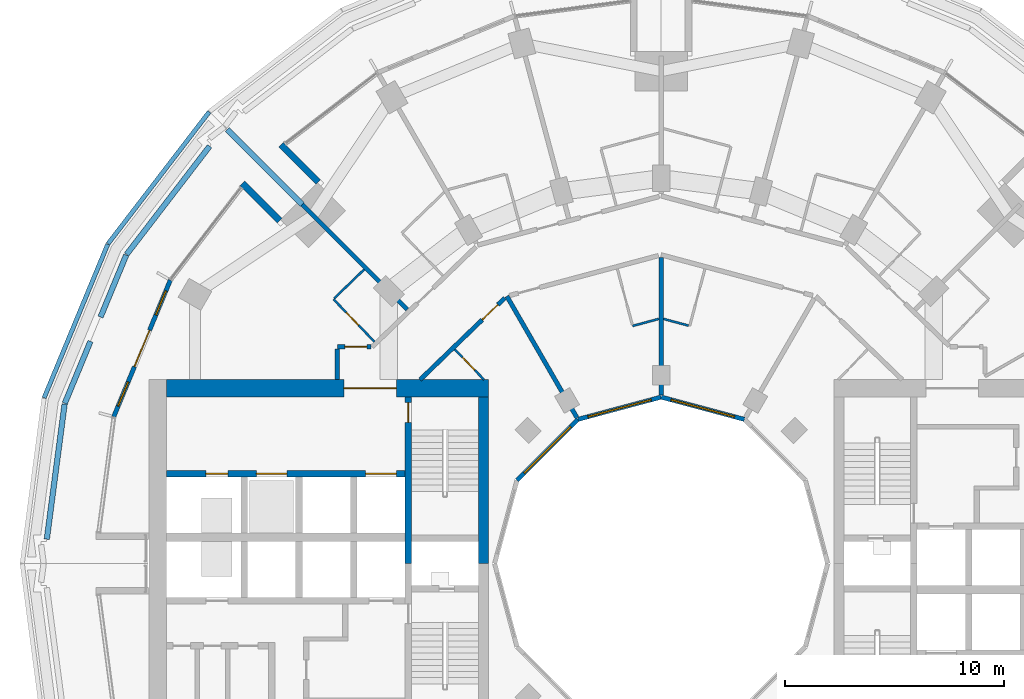
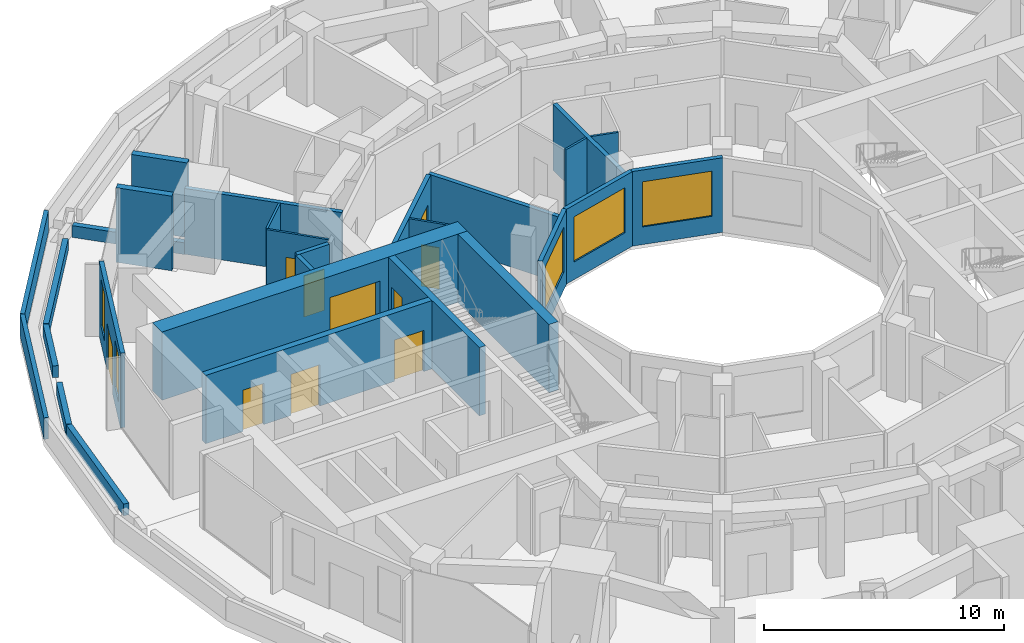
# One storey, part 14 of 19: 28 walls, 10 doors, 5 windows, 15 openings.
"""IFC4 building model written with IfcOpenShell, lengths in metres."""

from ifc_helpers import new_model, si_unit, direction, frame, frame_2d, origin, place, context, subcontext, project, spatial, rectangle, extrude, material, layer, layer_set, type_object, element, fill, save


model = new_model("IFC4")

# Units and contexts
model_context = context("Model", 3, precision=1e-05, world=origin(), true_north=direction((0.0, 1.0)))
body_context = subcontext(model_context, "Body", "Model", "MODEL_VIEW")
ifc_project = project(units=[si_unit("LENGTHUNIT", "METRE"), si_unit("AREAUNIT", "SQUARE_METRE"), si_unit("VOLUMEUNIT", "CUBIC_METRE"), si_unit("PLANEANGLEUNIT", "RADIAN"), si_unit("MASSUNIT", "GRAM", prefix="KILO")], contexts=[model_context])

# Site, building, storey
site_placement = place(None, origin())
site = spatial("IfcSite", under=ifc_project, at=site_placement, CompositionType="ELEMENT")
building_placement = place(site_placement, origin())
building = spatial("IfcBuilding", under=site, at=building_placement, Name="Torre Brocal", CompositionType="ELEMENT")
storey_placement = place(building_placement, frame((0.0, 0.0, 28.800048828125)))
storey = spatial("IfcBuildingStorey", under=building, at=storey_placement, Name="L05", CompositionType="ELEMENT", Elevation=28.800048828125)

# Wall, opening, door
ifc_material_1 = material(Name="Concrete C80", Category="concrete")
ifc_layer_1 = layer(ifc_material_1, 0.300048828125)
ifc_layer_set_1 = layer_set([ifc_layer_1], Name="Concrete C80")
wall_type_1 = type_object("IfcWallType", Name="CORE WALL 300 C80", PredefinedType="SHEAR", material=ifc_layer_set_1)
wall_1_placement = place(storey_placement, frame((68.449951171875, 82.60009765625, 0.0), z_axis=(0.0, 0.0, 1.0), x_axis=(0.0, -1.0, 0.0)))
wall_1 = element("IfcWall", 1, at=wall_1_placement, inside=storey, type_object=wall_type_1, Name="Wall CW300-80", PredefinedType="SHEAR", context=body_context, shape_type="SweptSolid", body=[
    extrude(rectangle(XDim=7.60009765625, YDim=0.300048828125, at=frame_2d((3.800048828125, 0.0))), origin(), (0.0, 0.0, 1.0), 3.47998046875),
])
opening_1_placement = place(wall_1_placement, frame((0.25, 0.0, 0.0)))
opening_1 = element("IfcOpeningElement", 2, at=opening_1_placement, cuts=wall_1, Name="Opening W-D03", PredefinedType="OPENING", context=body_context, shape_type="SweptSolid", body=[
    extrude(rectangle(XDim=0.89990234375, YDim=2.10009765625, at=frame_2d((0.449951171875, 1.050048828125))), frame((0.0, 0.159912109375, 0.0), z_axis=(0.0, -1.0, 0.0), x_axis=(1.0, 0.0, 0.0)), (0.0, 0.0, 1.0), 0.320068359375),
])
ifc_material_2 = material(Name="Steel A653", Category="steel")
door_type_1 = type_object("IfcDoorType", Name="STAIR DOOR FD120 900X2100", OperationType="SINGLE_SWING_RIGHT", PredefinedType="DOOR", material=ifc_material_2)
door_1_placement = place(opening_1_placement, origin())
door_1 = element("IfcDoor", 3, at=door_1_placement, inside=storey, type_object=door_type_1, Name="Door W-D03", OperationType="SINGLE_SWING_LEFT", OverallHeight=2.10009765625, OverallWidth=0.89990234375, PredefinedType="DOOR", context=body_context, shape_type="SweptSolid", body=[
    extrude(rectangle(XDim=0.89990234375, YDim=2.10009765625, at=frame_2d((0.449951171875, 1.050048828125))), frame((0.0, 0.02490234375, 0.0), z_axis=(0.0, -1.0, 0.0), x_axis=(1.0, 0.0, 0.0)), (0.0, 0.0, 1.0), 0.050048828125),
])
fill(opening_1, door_1)

# Wall, openings, doors
wall_2_placement = place(storey_placement, frame((68.300048828125, 79.10009765625, 0.0), z_axis=(0.0, 0.0, 1.0), x_axis=(-1.0, 0.0, 0.0)))
wall_2 = element("IfcWall", 4, at=wall_2_placement, inside=storey, type_object=wall_type_1, Name="Wall CW300-80", PredefinedType="SHEAR", context=body_context, shape_type="SweptSolid", body=[
    extrude(rectangle(XDim=10.900146484375, YDim=0.300048828125, at=frame_2d((5.4501953125, 0.0))), origin(), (0.0, 0.0, 1.0), 3.47998046875),
])
opening_2_placement = place(wall_2_placement, frame((0.39990234375, 0.0, 0.0)))
opening_2 = element("IfcOpeningElement", 5, at=opening_2_placement, cuts=wall_2, Name="Opening LD14", PredefinedType="OPENING", context=body_context, shape_type="SweptSolid", body=[
    extrude(rectangle(XDim=1.39990234375, YDim=2.10009765625, at=frame_2d((0.699951171875, 1.050048828125))), frame((0.0, 0.159912109375, 0.0), z_axis=(0.0, -1.0, 0.0), x_axis=(1.0, 0.0, 0.0)), (0.0, 0.0, 1.0), 0.320068359375),
])
opening_3_placement = place(wall_2_placement, frame((5.39990234375, 0.0, 0.0)))
opening_3 = element("IfcOpeningElement", 6, at=opening_3_placement, cuts=wall_2, Name="Opening LD14", PredefinedType="OPENING", context=body_context, shape_type="SweptSolid", body=[
    extrude(rectangle(XDim=1.39990234375, YDim=2.10009765625, at=frame_2d((0.699951171875, 1.050048828125))), frame((0.0, 0.159912109375, 0.0), z_axis=(0.0, -1.0, 0.0), x_axis=(1.0, 0.0, 0.0)), (0.0, 0.0, 1.0), 0.320068359375),
])
opening_4_placement = place(wall_2_placement, frame((8.10009765625, 0.0, 0.0)))
opening_4 = element("IfcOpeningElement", 7, at=opening_4_placement, cuts=wall_2, Name="Opening LD10", PredefinedType="OPENING", context=body_context, shape_type="SweptSolid", body=[
    extrude(rectangle(XDim=1.0, YDim=2.10009765625, at=frame_2d((0.5, 1.050048828125))), frame((0.0, 0.159912109375, 0.0), z_axis=(0.0, -1.0, 0.0), x_axis=(1.0, 0.0, 0.0)), (0.0, 0.0, 1.0), 0.320068359375),
])
ifc_material_3 = material(Name="Stainless steel AISI 316", Category="steel")
door_type_2 = type_object("IfcDoorType", Name="LIFT LANDING DOOR 1000X2100", OperationType="DOUBLE_DOOR_SLIDING", PredefinedType="DOOR", material=ifc_material_3)
door_2_placement = place(opening_4_placement, origin())
door_2 = element("IfcDoor", 8, at=door_2_placement, inside=storey, type_object=door_type_2, Name="Door LD10", OperationType="DOUBLE_DOOR_SLIDING", OverallHeight=2.10009765625, OverallWidth=1.0, PredefinedType="DOOR", context=body_context, shape_type="SweptSolid", body=[
    extrude(rectangle(XDim=1.0, YDim=2.10009765625, at=frame_2d((0.5, 1.050048828125))), frame((0.0, 0.02490234375, 0.0), z_axis=(0.0, -1.0, 0.0), x_axis=(1.0, 0.0, 0.0)), (0.0, 0.0, 1.0), 0.050048828125),
])
fill(opening_4, door_2)
ifc_material_4 = material(Name="Stainless steel AISI 316", Category="steel")
door_type_3 = type_object("IfcDoorType", Name="LIFT LANDING DOOR 1400X2100", OperationType="DOUBLE_DOOR_SLIDING", PredefinedType="DOOR", material=ifc_material_4)
door_3_placement = place(opening_2_placement, origin())
door_3 = element("IfcDoor", 9, at=door_3_placement, inside=storey, type_object=door_type_3, Name="Door LD14", OperationType="DOUBLE_DOOR_SLIDING", OverallHeight=2.10009765625, OverallWidth=1.39990234375, PredefinedType="DOOR", context=body_context, shape_type="SweptSolid", body=[
    extrude(rectangle(XDim=1.39990234375, YDim=2.10009765625, at=frame_2d((0.699951171875, 1.050048828125))), frame((0.0, 0.02490234375, 0.0), z_axis=(0.0, -1.0, 0.0), x_axis=(1.0, 0.0, 0.0)), (0.0, 0.0, 1.0), 0.050048828125),
])
fill(opening_2, door_3)
door_4_placement = place(opening_3_placement, origin())
door_4 = element("IfcDoor", 10, at=door_4_placement, inside=storey, type_object=door_type_3, Name="Door LD14", OperationType="DOUBLE_DOOR_SLIDING", OverallHeight=2.10009765625, OverallWidth=1.39990234375, PredefinedType="DOOR", context=body_context, shape_type="SweptSolid", body=[
    extrude(rectangle(XDim=1.39990234375, YDim=2.10009765625, at=frame_2d((0.699951171875, 1.050048828125))), frame((0.0, 0.02490234375, 0.0), z_axis=(0.0, -1.0, 0.0), x_axis=(1.0, 0.0, 0.0)), (0.0, 0.0, 1.0), 0.050048828125),
])
fill(opening_3, door_4)

# Wall
ifc_material_5 = material(Name="Concrete C80", Category="concrete")
ifc_layer_2 = layer(ifc_material_5, 0.449951171875)
ifc_layer_set_2 = layer_set([ifc_layer_2], Name="Concrete C80")
wall_type_2 = type_object("IfcWallType", Name="CORE WALL 450 C80", PredefinedType="SHEAR", material=ifc_layer_set_2)
wall_3_placement = place(storey_placement, frame((71.875, 82.60009765625, 0.0), z_axis=(0.0, 0.0, 1.0), x_axis=(0.0, -1.0, 0.0)))
element("IfcWall", 11, at=wall_3_placement, inside=storey, type_object=wall_type_2, Name="Wall CW450-80", PredefinedType="SHEAR", context=body_context, shape_type="SweptSolid", body=[
    extrude(rectangle(XDim=7.60009765625, YDim=0.449951171875, at=frame_2d((3.800048828125, 0.0))), origin(), (0.0, 0.0, 1.0), 3.47998046875),
])

# Wall, opening, door
ifc_material_6 = material(Name="Concrete C80", Category="concrete")
ifc_layer_3 = layer(ifc_material_6, 0.800048828125)
ifc_layer_set_3 = layer_set([ifc_layer_3], Name="Concrete C80")
wall_type_3 = type_object("IfcWallType", Name="CORE WALL 800 C80", PredefinedType="SHEAR", material=ifc_layer_set_3)
wall_4_placement = place(storey_placement, frame((72.10009765625, 83.0, 0.0), z_axis=(0.0, 0.0, 1.0), x_axis=(-1.0, 0.0, 0.0)))
wall_4 = element("IfcWall", 12, at=wall_4_placement, inside=storey, type_object=wall_type_3, Name="Wall CW800-80", PredefinedType="SHEAR", context=body_context, shape_type="SweptSolid", body=[
    extrude(rectangle(XDim=14.7001953125, YDim=0.800048828125, at=frame_2d((7.35009765625, 0.0))), origin(), (0.0, 0.0, 1.0), 3.47998046875),
])
opening_5_placement = place(wall_4_placement, frame((4.199951171875, 0.0, 0.0)))
opening_5 = element("IfcOpeningElement", 13, at=opening_5_placement, cuts=wall_4, Name="Opening W-D30", PredefinedType="OPENING", context=body_context, shape_type="SweptSolid", body=[
    extrude(rectangle(XDim=2.39990234375, YDim=2.39990234375, at=frame_2d((1.199951171875, 1.199951171875))), frame((0.0, 0.409912109375, 0.0), z_axis=(0.0, -1.0, 0.0), x_axis=(1.0, 0.0, 0.0)), (0.0, 0.0, 1.0), 0.820068359375),
])
ifc_material_7 = material(Name="Steel A653", Category="steel")
door_type_4 = type_object("IfcDoorType", Name="DOUBLE FIRE DOOR FD90 2400X2400", OperationType="DOUBLE_DOOR_SINGLE_SWING", PredefinedType="DOOR", material=ifc_material_7)
door_5_placement = place(opening_5_placement, origin())
door_5 = element("IfcDoor", 14, at=door_5_placement, inside=storey, type_object=door_type_4, Name="Door W-D30", OperationType="DOUBLE_DOOR_SINGLE_SWING", OverallHeight=2.39990234375, OverallWidth=2.39990234375, PredefinedType="DOOR", context=body_context, shape_type="SweptSolid", body=[
    extrude(rectangle(XDim=2.39990234375, YDim=2.39990234375, at=frame_2d((1.199951171875, 1.199951171875))), frame((0.0, 0.02490234375, 0.0), z_axis=(0.0, -1.0, 0.0), x_axis=(1.0, 0.0, 0.0)), (0.0, 0.0, 1.0), 0.050048828125),
])
fill(opening_5, door_5)

# Wall, openings, door, windows
ifc_material_8 = material(Name="Concrete C40", Category="concrete")
ifc_layer_4 = layer(ifc_material_8, 0.199951171875)
ifc_layer_set_4 = layer_set([ifc_layer_4], Name="Concrete C40")
wall_type_4 = type_object("IfcWallType", Name="EXTERNAL WALL 200", PredefinedType="NOTDEFINED", material=ifc_layer_set_4)
wall_5_placement = place(storey_placement, frame((57.57080078125, 87.949462890625, 0.0), z_axis=(0.0, 0.0, 1.0), x_axis=(-0.382694096902, -0.923875115043, 0.0)))
wall_5 = element("IfcWall", 15, at=wall_5_placement, inside=storey, type_object=wall_type_4, Name="EXTERNAL WALL", PredefinedType="NOTDEFINED", context=body_context, shape_type="SweptSolid", body=[
    extrude(rectangle(XDim=6.760986328125, YDim=0.199951171875, at=frame_2d((3.38037109375, 0.0))), origin(), (0.0, 0.0, 1.0), 3.800048828125),
])
opening_6_placement = place(wall_5_placement, frame((0.52685546875, 0.0, 0.89990234375)))
opening_6 = element("IfcOpeningElement", 16, at=opening_6_placement, cuts=wall_5, Name="Opening W3", PredefinedType="OPENING", context=body_context, shape_type="SweptSolid", body=[
    extrude(rectangle(XDim=1.199951171875, YDim=2.39990234375, at=frame_2d((0.60009765625, 1.199951171875))), frame((0.0, 0.10986328125, 0.0), z_axis=(0.0, -1.0, 0.0), x_axis=(1.0, 0.0, 0.0)), (0.0, 0.0, 1.0), 0.219970703125),
])
opening_7_placement = place(wall_5_placement, frame((2.48046875, 0.0, 0.0)))
opening_7 = element("IfcOpeningElement", 17, at=opening_7_placement, cuts=wall_5, Name="Opening L05-E04", PredefinedType="OPENING", context=body_context, shape_type="SweptSolid", body=[
    extrude(rectangle(XDim=1.800048828125, YDim=2.39990234375, at=frame_2d((0.89990234375, 1.199951171875))), frame((0.0, 0.10986328125, 0.0), z_axis=(0.0, -1.0, 0.0), x_axis=(1.0, 0.0, 0.0)), (0.0, 0.0, 1.0), 0.219970703125),
])
opening_8_placement = place(wall_5_placement, frame((5.0341796875, 0.0, 0.89990234375)))
opening_8 = element("IfcOpeningElement", 18, at=opening_8_placement, cuts=wall_5, Name="Opening W3", PredefinedType="OPENING", context=body_context, shape_type="SweptSolid", body=[
    extrude(rectangle(XDim=1.199951171875, YDim=2.39990234375, at=frame_2d((0.60009765625, 1.199951171875))), frame((0.0, 0.10986328125, 0.0), z_axis=(0.0, -1.0, 0.0), x_axis=(1.0, 0.0, 0.0)), (0.0, 0.0, 1.0), 0.219970703125),
])
ifc_material_9 = material(Name="Aluminium and glass", Category="aluminium")
door_type_5 = type_object("IfcDoorType", Name="TERRACE DOUBLE DOOR 1800X2400", OperationType="DOUBLE_DOOR_SINGLE_SWING", PredefinedType="DOOR", material=ifc_material_9)
door_6_placement = place(opening_7_placement, frame((1.800048828125, 0.0, 0.0), z_axis=(0.0, 0.0, 1.0), x_axis=(-1.0, 0.0, 0.0)))
door_6 = element("IfcDoor", 19, at=door_6_placement, inside=storey, type_object=door_type_5, Name="DOOR L05-E04", OperationType="DOUBLE_DOOR_SINGLE_SWING", OverallHeight=2.39990234375, OverallWidth=1.800048828125, PredefinedType="DOOR", context=body_context, shape_type="SweptSolid", body=[
    extrude(rectangle(XDim=1.800048828125, YDim=2.39990234375, at=frame_2d((0.89990234375, 1.199951171875))), frame((0.0, 0.02490234375, 0.0), z_axis=(0.0, -1.0, 0.0), x_axis=(1.0, 0.0, 0.0)), (0.0, 0.0, 1.0), 0.050048828125),
])
fill(opening_7, door_6)
ifc_material_10 = material(Name="Aluminium and glass", Category="aluminium")
window_type_1 = type_object("IfcWindowType", Name="TERRACE WINDOW 1200X2400", PartitioningType="SINGLE_PANEL", PredefinedType="WINDOW", material=ifc_material_10)
window_1_placement = place(opening_6_placement, origin())
window_1 = element("IfcWindow", 20, at=window_1_placement, inside=storey, type_object=window_type_1, Name="TERRACE WINDOW 1200X2400", OverallHeight=2.39990234375, OverallWidth=1.199951171875, PartitioningType="SINGLE_PANEL", PredefinedType="WINDOW", context=body_context, shape_type="SweptSolid", body=[
    extrude(rectangle(XDim=1.199951171875, YDim=2.39990234375, at=frame_2d((0.60009765625, 1.199951171875))), frame((0.0, 0.030029296875, 0.0), z_axis=(0.0, -1.0, 0.0), x_axis=(1.0, 0.0, 0.0)), (0.0, 0.0, 1.0), 0.06005859375),
])
fill(opening_6, window_1)
window_2_placement = place(opening_8_placement, origin())
window_2 = element("IfcWindow", 21, at=window_2_placement, inside=storey, type_object=window_type_1, Name="TERRACE WINDOW 1200X2400", OverallHeight=2.39990234375, OverallWidth=1.199951171875, PartitioningType="SINGLE_PANEL", PredefinedType="WINDOW", context=body_context, shape_type="SweptSolid", body=[
    extrude(rectangle(XDim=1.199951171875, YDim=2.39990234375, at=frame_2d((0.60009765625, 1.199951171875))), frame((0.0, 0.030029296875, 0.0), z_axis=(0.0, -1.0, 0.0), x_axis=(1.0, 0.0, 0.0)), (0.0, 0.0, 1.0), 0.06005859375),
])
fill(opening_8, window_2)

# Walls
ifc_material_11 = material(Name="Concrete C80", Category="concrete")
ifc_layer_5 = layer(ifc_material_11, 0.300048828125)
ifc_layer_set_5 = layer_set([ifc_layer_5], Name="Concrete C80")
wall_type_5 = type_object("IfcWallType", Name="NOTCH RETURN WALL 300 C80", PredefinedType="NOTDEFINED", material=ifc_layer_set_5)
for number, where, z_axis, x_axis, name in (
    (22, (64.337646484375, 92.43017578125, 0.0), (0.0, 0.0, 1.0), (-0.707106781187, 0.707106781187, 0.0), "NOTCH RETURN WALL"),
    (23, (62.56982421875, 90.662353515625, 0.0), (0.0, 0.0, 1.0), (-0.707106781187, 0.707106781187, 0.0), "NOTCH RETURN WALL"),
):
    element("IfcWall", number, at=place(storey_placement, frame(where, z_axis=z_axis, x_axis=x_axis)), inside=storey, type_object=wall_type_5, Name=name, PredefinedType="NOTDEFINED", context=body_context, shape_type="SweptSolid", body=[
        extrude(rectangle(XDim=2.415771484375, YDim=0.300048828125, at=frame_2d((1.2080078125, 0.0))), origin(), (0.0, 0.0, 1.0), 3.800048828125),
    ])
ifc_material_12 = material(Name="Concrete C40", Category="concrete")
ifc_layer_6 = layer(ifc_material_12, 0.199951171875)
ifc_layer_set_6 = layer_set([ifc_layer_6], Name="Concrete C40")
wall_type_6 = type_object("IfcWallType", Name="PARAPET WALL 200 THICK 1100 HIGH 6", PredefinedType="PARAPET", material=ifc_layer_set_6)
wall_6_placement = place(storey_placement, frame((51.802490234375, 82.569091796875, 0.0), z_axis=(0.0, 0.0, 1.0), x_axis=(0.382690553965, 0.923876582616, 0.0)))
element("IfcWall", 24, at=wall_6_placement, inside=storey, type_object=wall_type_6, Name="PARAPET WALL 14", PredefinedType="PARAPET", context=body_context, shape_type="SweptSolid", body=[
    extrude(rectangle(XDim=7.595458984375, YDim=0.199951171875, at=frame_2d((3.7978515625, 0.0))), origin(), (0.0, 0.0, 1.0), 1.099853515625),
])
wall_7_placement = place(storey_placement, frame((54.722412109375, 89.609130859375, 0.0), z_axis=(0.0, 0.0, 1.0), x_axis=(0.608742572971, 0.793367808682, 0.0)))
element("IfcWall", 25, at=wall_7_placement, inside=storey, type_object=wall_type_6, Name="PARAPET WALL 15", PredefinedType="PARAPET", context=body_context, shape_type="SweptSolid", body=[
    extrude(rectangle(XDim=7.595703125, YDim=0.199951171875, at=frame_2d((3.7978515625, 0.0))), origin(), (0.0, 0.0, 1.0), 1.099853515625),
])
ifc_material_13 = material(Name="Gypsum board", Category="Gypsum")
ifc_layer_7 = layer(ifc_material_13, 0.10009765625)
ifc_layer_set_7 = layer_set([ifc_layer_7], Name="Gypsum board")
wall_type_7 = type_object("IfcWallType", Name="PARTITION 100", PredefinedType="PARTITIONING", material=ifc_layer_set_7)
wall_8_placement = place(storey_placement, frame((65.05810546875, 87.113525390625, 0.0), z_axis=(0.0, 0.0, 1.0), x_axis=(0.719715847356, 0.694268751324, 0.0)))
element("IfcWall", 26, at=wall_8_placement, inside=storey, type_object=wall_type_7, Name="BATHROOM WALL", PredefinedType="PARTITIONING", context=body_context, shape_type="SweptSolid", body=[
    extrude(rectangle(XDim=1.899658203125, YDim=0.10009765625, at=frame_2d((0.94970703125, 0.0))), origin(), (0.0, 0.0, 1.0), 3.349853515625),
])

# Wall, opening, door
wall_9_placement = place(storey_placement, frame((65.02197265625, 87.0791015625, 0.0), z_axis=(0.0, 0.0, 1.0), x_axis=(0.694287838235, -0.719697434815, 0.0)))
wall_9 = element("IfcWall", 27, at=wall_9_placement, inside=storey, type_object=wall_type_7, Name="BATHROOM WALL", PredefinedType="PARTITIONING", context=body_context, shape_type="SweptSolid", body=[
    extrude(rectangle(XDim=2.699951171875, YDim=0.10009765625, at=frame_2d((1.35009765625, 0.0))), origin(), (0.0, 0.0, 1.0), 3.349853515625),
])
opening_9_placement = place(wall_9_placement, frame((0.849853515625, 0.0, 0.0)))
opening_9 = element("IfcOpeningElement", 28, at=opening_9_placement, cuts=wall_9, Name="Opening H01-D17", PredefinedType="OPENING", context=body_context, shape_type="SweptSolid", body=[
    extrude(rectangle(XDim=0.800048828125, YDim=2.10009765625, at=frame_2d((0.39990234375, 1.050048828125))), frame((0.0, 0.06005859375, 0.0), z_axis=(0.0, -1.0, 0.0), x_axis=(1.0, 0.0, 0.0)), (0.0, 0.0, 1.0), 0.1201171875),
])
ifc_material_14 = material(Name="Timber", Category="wood")
door_type_6 = type_object("IfcDoorType", Name="BATHROOM DOOR 800X2100", OperationType="SINGLE_SWING_LEFT", PredefinedType="DOOR", material=ifc_material_14)
door_7_placement = place(opening_9_placement, origin())
door_7 = element("IfcDoor", 29, at=door_7_placement, inside=storey, type_object=door_type_6, Name="H01-D17", OperationType="SINGLE_SWING_LEFT", OverallHeight=2.10009765625, OverallWidth=0.800048828125, PredefinedType="DOOR", context=body_context, shape_type="SweptSolid", body=[
    extrude(rectangle(XDim=0.800048828125, YDim=2.10009765625, at=frame_2d((0.39990234375, 1.050048828125))), frame((0.0, 0.02490234375, 0.0), z_axis=(0.0, -1.0, 0.0), x_axis=(1.0, 0.0, 0.0)), (0.0, 0.0, 1.0), 0.050048828125),
])
fill(opening_9, door_7)

wall_10_placement = place(storey_placement, frame((70.5673828125, 84.785888671875, 0.0), z_axis=(0.0, 0.0, 1.0), x_axis=(0.694447472534, -0.719543402368, 0.0)))
wall_10 = element("IfcWall", 30, at=wall_10_placement, inside=storey, type_object=wall_type_7, Name="BATHROOM WALL", PredefinedType="PARTITIONING", context=body_context, shape_type="SweptSolid", body=[
    extrude(rectangle(XDim=1.92626953125, YDim=0.10009765625, at=frame_2d((0.963134765625, 0.0))), origin(), (0.0, 0.0, 1.0), 3.349853515625),
])
opening_10_placement = place(wall_10_placement, frame((0.51318359375, 0.0, 0.0)))
opening_10 = element("IfcOpeningElement", 31, at=opening_10_placement, cuts=wall_10, Name="Opening H01-D25", PredefinedType="OPENING", context=body_context, shape_type="SweptSolid", body=[
    extrude(rectangle(XDim=0.800048828125, YDim=2.10009765625, at=frame_2d((0.39990234375, 1.050048828125))), frame((0.0, 0.06005859375, 0.0), z_axis=(0.0, -1.0, 0.0), x_axis=(1.0, 0.0, 0.0)), (0.0, 0.0, 1.0), 0.1201171875),
])
door_8_placement = place(opening_10_placement, frame((0.800048828125, 0.0, 0.0), z_axis=(0.0, 0.0, 1.0), x_axis=(-1.0, 0.0, 0.0)))
door_8 = element("IfcDoor", 32, at=door_8_placement, inside=storey, type_object=door_type_6, Name="H01-D25", OperationType="SINGLE_SWING_RIGHT", OverallHeight=2.10009765625, OverallWidth=0.800048828125, PredefinedType="DOOR", context=body_context, shape_type="SweptSolid", body=[
    extrude(rectangle(XDim=0.800048828125, YDim=2.10009765625, at=frame_2d((0.39990234375, 1.050048828125))), frame((0.0, 0.02490234375, 0.0), z_axis=(0.0, -1.0, 0.0), x_axis=(1.0, 0.0, 0.0)), (0.0, 0.0, 1.0), 0.050048828125),
])
fill(opening_10, door_8)

# Walls
wall_11_placement = place(storey_placement, frame((78.696044921875, 85.85595703125, 0.0), z_axis=(0.0, 0.0, 1.0), x_axis=(0.966002513606, 0.258532674351, 0.0)))
element("IfcWall", 33, at=wall_11_placement, inside=storey, type_object=wall_type_7, Name="BATHROOM WALL", PredefinedType="PARTITIONING", context=body_context, shape_type="SweptSolid", body=[
    extrude(rectangle(XDim=1.239990234375, YDim=0.10009765625, at=frame_2d((0.6201171875, 0.0))), origin(), (0.0, 0.0, 1.0), 3.349853515625),
])
wall_12_placement = place(storey_placement, frame((80.106201171875, 86.176513671875, 0.0), z_axis=(0.0, 0.0, 1.0), x_axis=(0.966002973184, -0.258530957139, 0.0)))
element("IfcWall", 34, at=wall_12_placement, inside=storey, type_object=wall_type_7, Name="BATHROOM WALL", PredefinedType="PARTITIONING", context=body_context, shape_type="SweptSolid", body=[
    extrude(rectangle(XDim=1.18994140625, YDim=0.10009765625, at=frame_2d((0.594970703125, 0.0))), origin(), (0.0, 0.0, 1.0), 3.349853515625),
])
ifc_material_15 = material(Name="Gypsum board", Category="Gypsum")
ifc_layer_8 = layer(ifc_material_15, 0.199951171875)
ifc_layer_set_8 = layer_set([ifc_layer_8], Name="Gypsum board")
wall_type_8 = type_object("IfcWallType", Name="PARTITION 200 EI60", PredefinedType="PARTITIONING", material=ifc_layer_set_8)
wall_13_placement = place(storey_placement, frame((63.5986328125, 91.408203125, 0.0), z_axis=(0.0, 0.0, 1.0), x_axis=(0.706981017422, -0.707232522587, 0.0)))
element("IfcWall", 35, at=wall_13_placement, inside=storey, type_object=wall_type_8, Name="BATHROOM WALL", PredefinedType="PARTITIONING", context=body_context, shape_type="SweptSolid", body=[
    extrude(rectangle(XDim=6.794921875, YDim=0.199951171875, at=frame_2d((3.3974609375, 0.0))), origin(), (0.0, 0.0, 1.0), 3.349853515625),
])
wall_14_placement = place(storey_placement, frame((65.199951171875, 83.40087890625, 0.0), z_axis=(0.0, 0.0, 1.0), x_axis=(0.0, 1.0, 0.0)))
element("IfcWall", 36, at=wall_14_placement, inside=storey, type_object=wall_type_8, Name="GUESTROOM CORRIDOR WALL", PredefinedType="PARTITIONING", context=body_context, shape_type="SweptSolid", body=[
    extrude(rectangle(XDim=1.399169921875, YDim=0.199951171875, at=frame_2d((0.69970703125, 0.0))), origin(), (0.0, 0.0, 1.0), 3.349853515625),
])

# Wall, opening, door
wall_15_placement = place(storey_placement, frame((65.199951171875, 84.89990234375, 0.0), z_axis=(0.0, 0.0, 1.0), x_axis=(1.0, 0.0, 0.0)))
wall_15 = element("IfcWall", 37, at=wall_15_placement, inside=storey, type_object=wall_type_8, Name="GUESTROOM CORRIDOR WALL", PredefinedType="PARTITIONING", context=body_context, shape_type="SweptSolid", body=[
    extrude(rectangle(XDim=1.5361328125, YDim=0.199951171875, at=frame_2d((0.76806640625, 0.0))), origin(), (0.0, 0.0, 1.0), 3.349853515625),
])
opening_11_placement = place(wall_15_placement, frame((0.346923828125, 0.0, 0.0)))
opening_11 = element("IfcOpeningElement", 38, at=opening_11_placement, cuts=wall_15, Name="Opening H01-D16", PredefinedType="OPENING", context=body_context, shape_type="SweptSolid", body=[
    extrude(rectangle(XDim=1.0, YDim=2.10009765625, at=frame_2d((0.5, 1.050048828125))), frame((0.0, 0.10986328125, 0.0), z_axis=(0.0, -1.0, 0.0), x_axis=(1.0, 0.0, 0.0)), (0.0, 0.0, 1.0), 0.219970703125),
])
ifc_material_16 = material(Name="Timber", Category="wood")
door_type_7 = type_object("IfcDoorType", Name="FLAT ENTRY DOOR FD30S 1000X2100", OperationType="SINGLE_SWING_RIGHT", PredefinedType="DOOR", material=ifc_material_16)
door_9_placement = place(opening_11_placement, origin())
door_9 = element("IfcDoor", 39, at=door_9_placement, inside=storey, type_object=door_type_7, Name="H01-D16", OperationType="SINGLE_SWING_LEFT", OverallHeight=2.10009765625, OverallWidth=1.0, PredefinedType="DOOR", context=body_context, shape_type="SweptSolid", body=[
    extrude(rectangle(XDim=1.0, YDim=2.10009765625, at=frame_2d((0.5, 1.050048828125))), frame((0.0, 0.02490234375, 0.0), z_axis=(0.0, -1.0, 0.0), x_axis=(1.0, 0.0, 0.0)), (0.0, 0.0, 1.0), 0.050048828125),
])
fill(opening_11, door_9)

wall_16_placement = place(storey_placement, frame((68.987060546875, 83.39990234375, 0.0), z_axis=(0.0, 0.0, 1.0), x_axis=(0.719591503389, 0.694397629784, 0.0)))
wall_16 = element("IfcWall", 40, at=wall_16_placement, inside=storey, type_object=wall_type_8, Name="GUESTROOM CORRIDOR WALL", PredefinedType="PARTITIONING", context=body_context, shape_type="SweptSolid", body=[
    extrude(rectangle(XDim=5.378173828125, YDim=0.199951171875, at=frame_2d((2.68896484375, 0.0))), origin(), (0.0, 0.0, 1.0), 3.349853515625),
])
opening_12_placement = place(wall_16_placement, frame((3.93798828125, 0.0, 0.0)))
opening_12 = element("IfcOpeningElement", 41, at=opening_12_placement, cuts=wall_16, Name="Opening H01-D24", PredefinedType="OPENING", context=body_context, shape_type="SweptSolid", body=[
    extrude(rectangle(XDim=1.0, YDim=2.10009765625, at=frame_2d((0.5, 1.050048828125))), frame((0.0, 0.10986328125, 0.0), z_axis=(0.0, -1.0, 0.0), x_axis=(1.0, 0.0, 0.0)), (0.0, 0.0, 1.0), 0.219970703125),
])
door_10_placement = place(opening_12_placement, frame((1.0, 0.0, 0.0), z_axis=(0.0, 0.0, 1.0), x_axis=(-1.0, 0.0, 0.0)))
door_10 = element("IfcDoor", 42, at=door_10_placement, inside=storey, type_object=door_type_7, Name="H01-D24", OperationType="SINGLE_SWING_LEFT", OverallHeight=2.10009765625, OverallWidth=1.0, PredefinedType="DOOR", context=body_context, shape_type="SweptSolid", body=[
    extrude(rectangle(XDim=1.0, YDim=2.10009765625, at=frame_2d((0.5, 1.050048828125))), frame((0.0, 0.02490234375, 0.0), z_axis=(0.0, -1.0, 0.0), x_axis=(1.0, 0.0, 0.0)), (0.0, 0.0, 1.0), 0.050048828125),
])
fill(opening_12, door_10)

# Walls
wall_17_placement = place(storey_placement, frame((72.948486328125, 87.214111328125, 0.0), z_axis=(0.0, 0.0, 1.0), x_axis=(0.499943524694, -0.866058007363, 0.0)))
element("IfcWall", 43, at=wall_17_placement, inside=storey, type_object=wall_type_8, Name="PARTY PARTITION", PredefinedType="PARTITIONING", context=body_context, shape_type="SweptSolid", body=[
    extrude(rectangle(XDim=6.405029296875, YDim=0.199951171875, at=frame_2d((3.20263671875, 0.0))), origin(), (0.0, 0.0, 1.0), 3.349853515625),
])
wall_18_placement = place(storey_placement, frame((80.0, 82.698974609375, 0.0), z_axis=(0.0, 0.0, 1.0), x_axis=(0.0, 1.0, 0.0)))
element("IfcWall", 44, at=wall_18_placement, inside=storey, type_object=wall_type_8, Name="BATHROOM WALL", PredefinedType="PARTITIONING", context=body_context, shape_type="SweptSolid", body=[
    extrude(rectangle(XDim=6.275146484375, YDim=0.199951171875, at=frame_2d((3.1376953125, 0.0))), origin(), (0.0, 0.0, 1.0), 3.349853515625),
])
ifc_material_17 = material(Name="Concrete C35", Category="concrete")
ifc_layer_9 = layer(ifc_material_17, 0.25)
ifc_layer_set_9 = layer_set([ifc_layer_9], Name="Concrete C35")
wall_type_9 = type_object("IfcWallType", Name="PLANTER WALL 250 THICK 600 HIGH 6", PredefinedType="USERDEFINED", material=ifc_layer_set_9)
wall_19_placement = place(storey_placement, frame((63.59521484375, 91.40478515625, 0.0), z_axis=(0.0, 0.0, 1.0), x_axis=(-0.707106781187, 0.707106781187, 0.0)))
element("IfcWall", 45, at=wall_19_placement, inside=storey, type_object=wall_type_9, Name="PLANTER", ObjectType="PLANTER", PredefinedType="USERDEFINED", context=body_context, shape_type="SweptSolid", body=[
    extrude(rectangle(XDim=4.845703125, YDim=0.25, at=frame_2d((2.4228515625, 0.0))), origin(), (0.0, 0.0, 1.0), 0.599853515625),
])
wall_20_placement = place(storey_placement, frame((51.927001953125, 76.108642578125, 0.0), z_axis=(0.0, 0.0, 1.0), x_axis=(0.130531529041, 0.991444158753, 0.0)))
element("IfcWall", 46, at=wall_20_placement, inside=storey, type_object=wall_type_9, Name="PLANTER", ObjectType="PLANTER", PredefinedType="USERDEFINED", context=body_context, shape_type="SweptSolid", body=[
    extrude(rectangle(XDim=6.23193359375, YDim=0.25, at=frame_2d((3.115966796875, 0.0))), origin(), (0.0, 0.0, 1.0), 0.599853515625),
])
for number, where, z_axis, x_axis, name in (
    (47, (52.748779296875, 82.31884765625, 0.0), (0.0, 0.0, 1.0), (0.382726739509, 0.923861592916, 0.0), "PLANTER"),
    (48, (54.381591796875, 86.260986328125, 0.0), (0.0, 0.0, 1.0), (0.38275488762, 0.923849931538, 0.0), "PLANTER"),
):
    element("IfcWall", number, at=place(storey_placement, frame(where, z_axis=z_axis, x_axis=x_axis)), inside=storey, type_object=wall_type_9, Name=name, ObjectType="PLANTER", PredefinedType="USERDEFINED", context=body_context, shape_type="SweptSolid", body=[
        extrude(rectangle(XDim=3.06689453125, YDim=0.25, at=frame_2d((1.533447265625, 0.0))), origin(), (0.0, 0.0, 1.0), 0.599853515625),
    ])
wall_21_placement = place(storey_placement, frame((55.57177734375, 89.12255859375, 0.0), z_axis=(0.0, 0.0, 1.0), x_axis=(0.608758005668, 0.793355967101, 0.0)))
element("IfcWall", 49, at=wall_21_placement, inside=storey, type_object=wall_type_9, Name="PLANTER", ObjectType="PLANTER", PredefinedType="USERDEFINED", context=body_context, shape_type="SweptSolid", body=[
    extrude(rectangle(XDim=6.23193359375, YDim=0.25, at=frame_2d((3.115966796875, 0.0))), origin(), (0.0, 0.0, 1.0), 0.599853515625),
])

# Wall, opening, window
ifc_material_18 = material(Name="Concrete C40", Category="concrete")
ifc_layer_10 = layer(ifc_material_18, 0.199951171875)
ifc_layer_set_10 = layer_set([ifc_layer_10], Name="Concrete C40")
wall_type_10 = type_object("IfcWallType", Name="WELL FACADE WALL 200", PredefinedType="NOTDEFINED", material=ifc_layer_set_10)
wall_22_placement = place(storey_placement, frame((83.8017578125, 81.5849609375, 0.0), z_axis=(0.0, 0.0, 1.0), x_axis=(-0.965933654434, 0.258789828301, 0.0)))
wall_22 = element("IfcWall", 50, at=wall_22_placement, inside=storey, type_object=wall_type_10, Name="WELL FACADE WALL", PredefinedType="NOTDEFINED", context=body_context, shape_type="SweptSolid", body=[
    extrude(rectangle(XDim=3.935791015625, YDim=0.199951171875, at=frame_2d((1.9677734375, 0.0))), origin(), (0.0, 0.0, 1.0), 3.800048828125),
])
opening_13_placement = place(wall_22_placement, frame((0.468017578125, 0.0, 0.89990234375)))
opening_13 = element("IfcOpeningElement", 51, at=opening_13_placement, cuts=wall_22, Name="Opening W1", PredefinedType="OPENING", context=body_context, shape_type="SweptSolid", body=[
    extrude(rectangle(XDim=3.0, YDim=2.300048828125, at=frame_2d((1.5, 1.14990234375))), frame((0.0, 0.10986328125, 0.0), z_axis=(0.0, -1.0, 0.0), x_axis=(1.0, 0.0, 0.0)), (0.0, 0.0, 1.0), 0.219970703125),
])
ifc_material_19 = material(Name="Aluminium and glass", Category="aluminium")
window_type_2 = type_object("IfcWindowType", Name="WELL WINDOW 3000X2300", PartitioningType="SINGLE_PANEL", PredefinedType="WINDOW", material=ifc_material_19)
window_3_placement = place(opening_13_placement, origin())
window_3 = element("IfcWindow", 52, at=window_3_placement, inside=storey, type_object=window_type_2, Name="WELL WINDOW 3000X2300", OverallHeight=2.300048828125, OverallWidth=3.0, PartitioningType="SINGLE_PANEL", PredefinedType="WINDOW", context=body_context, shape_type="SweptSolid", body=[
    extrude(rectangle(XDim=3.0, YDim=2.300048828125, at=frame_2d((1.5, 1.14990234375))), frame((0.0, 0.030029296875, 0.0), z_axis=(0.0, -1.0, 0.0), x_axis=(1.0, 0.0, 0.0)), (0.0, 0.0, 1.0), 0.06005859375),
])
fill(opening_13, window_3)

wall_23_placement = place(storey_placement, frame((80.0, 82.603515625, 0.0), z_axis=(0.0, 0.0, 1.0), x_axis=(-0.965933654434, -0.258789828301, 0.0)))
wall_23 = element("IfcWall", 53, at=wall_23_placement, inside=storey, type_object=wall_type_10, Name="WELL FACADE WALL", PredefinedType="NOTDEFINED", context=body_context, shape_type="SweptSolid", body=[
    extrude(rectangle(XDim=3.935791015625, YDim=0.199951171875, at=frame_2d((1.9677734375, 0.0))), origin(), (0.0, 0.0, 1.0), 3.800048828125),
])
opening_14_placement = place(wall_23_placement, frame((0.468017578125, 0.0, 0.89990234375)))
opening_14 = element("IfcOpeningElement", 54, at=opening_14_placement, cuts=wall_23, Name="Opening W1", PredefinedType="OPENING", context=body_context, shape_type="SweptSolid", body=[
    extrude(rectangle(XDim=3.0, YDim=2.300048828125, at=frame_2d((1.5, 1.14990234375))), frame((0.0, 0.10986328125, 0.0), z_axis=(0.0, -1.0, 0.0), x_axis=(1.0, 0.0, 0.0)), (0.0, 0.0, 1.0), 0.219970703125),
])
window_4_placement = place(opening_14_placement, origin())
window_4 = element("IfcWindow", 55, at=window_4_placement, inside=storey, type_object=window_type_2, Name="WELL WINDOW 3000X2300", OverallHeight=2.300048828125, OverallWidth=3.0, PartitioningType="SINGLE_PANEL", PredefinedType="WINDOW", context=body_context, shape_type="SweptSolid", body=[
    extrude(rectangle(XDim=3.0, YDim=2.300048828125, at=frame_2d((1.5, 1.14990234375))), frame((0.0, 0.030029296875, 0.0), z_axis=(0.0, -1.0, 0.0), x_axis=(1.0, 0.0, 0.0)), (0.0, 0.0, 1.0), 0.06005859375),
])
fill(opening_14, window_4)

wall_24_placement = place(storey_placement, frame((76.1982421875, 81.5849609375, 0.0), z_axis=(0.0, 0.0, 1.0), x_axis=(-0.707106781187, -0.707106781187, 0.0)))
wall_24 = element("IfcWall", 56, at=wall_24_placement, inside=storey, type_object=wall_type_10, Name="WELL FACADE WALL", PredefinedType="NOTDEFINED", context=body_context, shape_type="SweptSolid", body=[
    extrude(rectangle(XDim=3.93603515625, YDim=0.199951171875, at=frame_2d((1.968017578125, 0.0))), origin(), (0.0, 0.0, 1.0), 3.800048828125),
])
opening_15_placement = place(wall_24_placement, frame((0.468017578125, 0.0, 0.89990234375)))
opening_15 = element("IfcOpeningElement", 57, at=opening_15_placement, cuts=wall_24, Name="Opening W1", PredefinedType="OPENING", context=body_context, shape_type="SweptSolid", body=[
    extrude(rectangle(XDim=3.0, YDim=2.300048828125, at=frame_2d((1.5, 1.14990234375))), frame((0.0, 0.10986328125, 0.0), z_axis=(0.0, -1.0, 0.0), x_axis=(1.0, 0.0, 0.0)), (0.0, 0.0, 1.0), 0.219970703125),
])
window_5_placement = place(opening_15_placement, origin())
window_5 = element("IfcWindow", 58, at=window_5_placement, inside=storey, type_object=window_type_2, Name="WELL WINDOW 3000X2300", OverallHeight=2.300048828125, OverallWidth=3.0, PartitioningType="SINGLE_PANEL", PredefinedType="WINDOW", context=body_context, shape_type="SweptSolid", body=[
    extrude(rectangle(XDim=3.0, YDim=2.300048828125, at=frame_2d((1.5, 1.14990234375))), frame((0.0, 0.030029296875, 0.0), z_axis=(0.0, -1.0, 0.0), x_axis=(1.0, 0.0, 0.0)), (0.0, 0.0, 1.0), 0.06005859375),
])
fill(opening_15, window_5)

save(model, "model.ifc")
